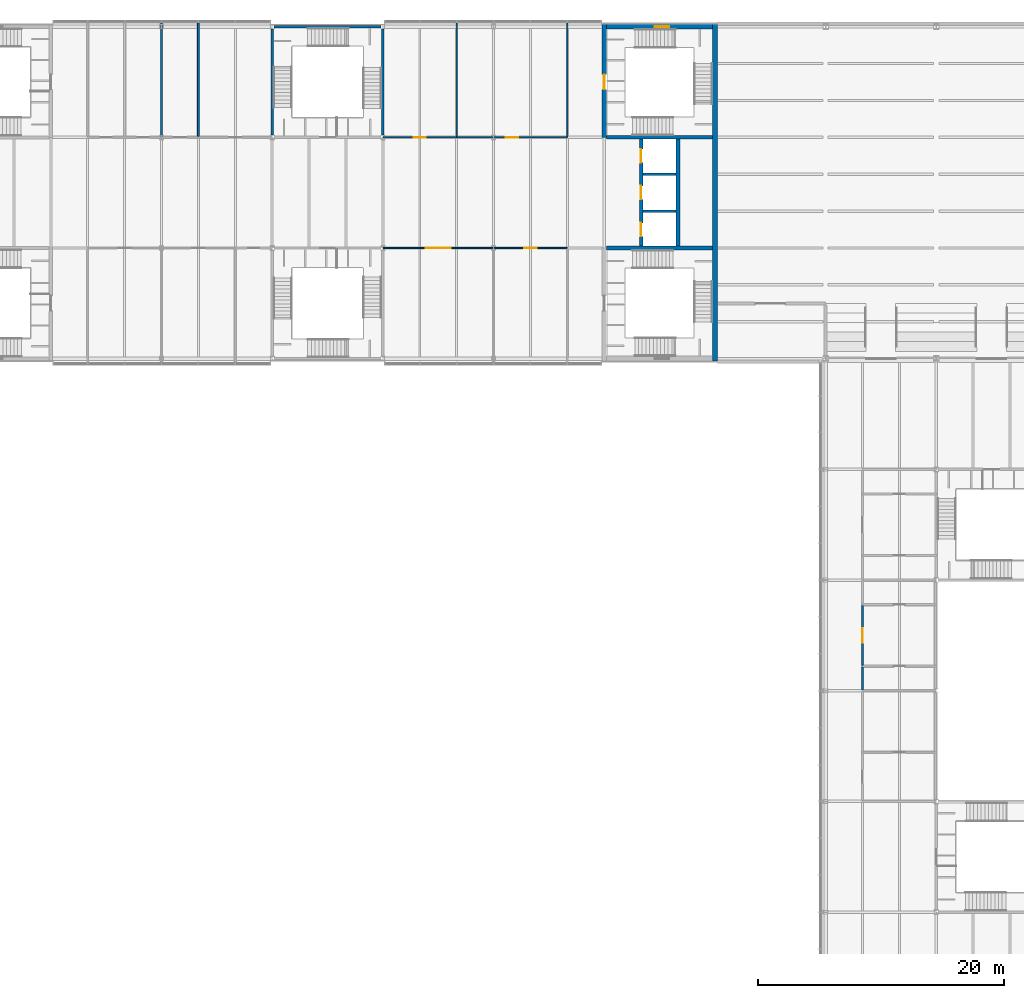
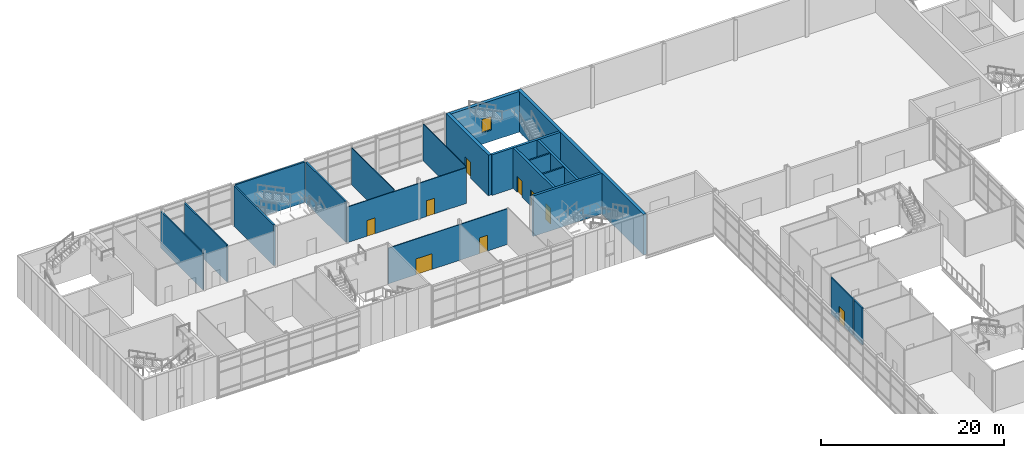
# One storey, part 36 of 52: 20 walls, 9 doors, 1 window, 10 openings.
"""IFC4 building model written with IfcOpenShell, lengths in metres."""

from ifc_helpers import new_model, si_unit, direction, frame, frame_2d, origin, place, context, subcontext, project, spatial, rectangle, extrude, material, layer, layer_set, type_object, element, fill, save


model = new_model("IFC4")

# Units and contexts
model_context = context("Model", 3, precision=1e-05, world=origin(), true_north=direction((0.0, 1.0)))
body_context = subcontext(model_context, "Body", "Model", "MODEL_VIEW")
ifc_project = project(units=[si_unit("LENGTHUNIT", "METRE"), si_unit("AREAUNIT", "SQUARE_METRE"), si_unit("VOLUMEUNIT", "CUBIC_METRE"), si_unit("PLANEANGLEUNIT", "RADIAN"), si_unit("MASSUNIT", "GRAM", prefix="KILO")], contexts=[model_context])

# Site, building, storey
site_placement = place(None, origin())
site = spatial("IfcSite", under=ifc_project, at=site_placement, CompositionType="ELEMENT")
building_placement = place(site_placement, origin())
building = spatial("IfcBuilding", under=site, at=building_placement, Name="Azimuth Sports and Learning Centre", CompositionType="ELEMENT")
storey_placement = place(building_placement, frame((0.0, 0.0, 16.199951171875)))
storey = spatial("IfcBuildingStorey", under=building, at=storey_placement, Name="L03", CompositionType="ELEMENT", Elevation=16.199951171875)

# Walls
ifc_material_1 = material(Name="Dense masonry blockwork", Category="masonry")
ifc_layer_1 = layer(ifc_material_1, 0.199951171875)
ifc_layer_set_1 = layer_set([ifc_layer_1], Name="Dense masonry blockwork")
wall_type_1 = type_object("IfcWallType", Name="Blockwork wall 200 EI 120", PredefinedType="SOLIDWALL", material=ifc_layer_set_1)
for number, where, z_axis, x_axis, name in (
    (1, (57.14990234375, 102.0, 0.0), (0.0, 0.0, 1.0), (1.0, 0.0, 0.0), "SD-W-1-L03"),
    (2, (57.14990234375, 105.0, 0.0), (0.0, 0.0, 1.0), (1.0, 0.0, 0.0), "SD-W-2-L03"),
):
    element("IfcWall", number, at=place(storey_placement, frame(where, z_axis=z_axis, x_axis=x_axis)), inside=storey, type_object=wall_type_1, Name=name, PredefinedType="SOLIDWALL", context=body_context, shape_type="SweptSolid", body=[
        extrude(rectangle(XDim=2.7001953125, YDim=0.199951171875, at=frame_2d((1.35009765625, 0.0))), origin(), (0.0, 0.0, 1.0), 5.400146484375),
    ])

# Wall, openings, doors
ifc_material_2 = material(Name="Gypsum board on steel studs", Category="steel")
ifc_layer_2 = layer(ifc_material_2, 0.10009765625)
ifc_layer_set_2 = layer_set([ifc_layer_2], Name="Gypsum board on steel studs")
wall_type_2 = type_object("IfcWallType", Name="Partition 100 EI 30", PredefinedType="PARTITIONING", material=ifc_layer_set_2)
wall_1_placement = place(storey_placement, frame((36.0, 99.0, 0.0), z_axis=(0.0, 0.0, 1.0), x_axis=(1.0, 0.0, 0.0)))
wall_1 = element("IfcWall", 3, at=wall_1_placement, inside=storey, type_object=wall_type_2, Name="Partition 100 EI 30", PredefinedType="PARTITIONING", context=body_context, shape_type="SweptSolid", body=[
    extrude(rectangle(XDim=15.0, YDim=0.10009765625, at=frame_2d((7.5, 0.0))), origin(), (0.0, 0.0, 1.0), 4.75),
])
opening_1_placement = place(wall_1_placement, frame((3.5, 0.0, 0.0)))
opening_1 = element("IfcOpeningElement", 4, at=opening_1_placement, cuts=wall_1, Name="Opening D03-034", PredefinedType="OPENING", context=body_context, shape_type="SweptSolid", body=[
    extrude(rectangle(XDim=2.0, YDim=2.10009765625, at=frame_2d((1.0, 1.050048828125))), frame((0.0, 0.06103515625, 0.0), z_axis=(0.0, -1.0, 0.0), x_axis=(1.0, 0.0, 0.0)), (0.0, 0.0, 1.0), 0.1220703125),
])
opening_2_placement = place(wall_1_placement, frame((11.5, 0.0, 0.0)))
opening_2 = element("IfcOpeningElement", 5, at=opening_2_placement, cuts=wall_1, Name="Opening D03-035", PredefinedType="OPENING", context=body_context, shape_type="SweptSolid", body=[
    extrude(rectangle(XDim=1.0, YDim=2.10009765625, at=frame_2d((0.5, 1.050048828125))), frame((0.0, 0.06103515625, 0.0), z_axis=(0.0, -1.0, 0.0), x_axis=(1.0, 0.0, 0.0)), (0.0, 0.0, 1.0), 0.1220703125),
])
ifc_material_3 = material(Name="Timber fire door set", Category="wood")
door_type_1 = type_object("IfcDoorType", Name="Timber door double 2000x2100 FD30S", OperationType="DOUBLE_DOOR_SINGLE_SWING", PredefinedType="DOOR", material=ifc_material_3)
door_1_placement = place(opening_1_placement, frame((2.0, 0.0, 0.0), z_axis=(0.0, 0.0, 1.0), x_axis=(-1.0, 0.0, 0.0)))
door_1 = element("IfcDoor", 6, at=door_1_placement, inside=storey, type_object=door_type_1, Name="Door D03-034", OperationType="DOUBLE_DOOR_SINGLE_SWING", OverallHeight=2.10009765625, OverallWidth=2.0, PredefinedType="DOOR", context=body_context, shape_type="SweptSolid", body=[
    extrude(rectangle(XDim=2.0, YDim=2.10009765625, at=frame_2d((1.0, 1.050048828125))), frame((0.0, 0.02490234375, 0.0), z_axis=(0.0, -1.0, 0.0), x_axis=(1.0, 0.0, 0.0)), (0.0, 0.0, 1.0), 0.050048828125),
])
fill(opening_1, door_1)
ifc_material_4 = material(Name="Timber fire door set", Category="wood")
door_type_2 = type_object("IfcDoorType", Name="Timber door single 1000x2100 FD30S", OperationType="NOTDEFINED", PredefinedType="DOOR", material=ifc_material_4)
door_2_placement = place(opening_2_placement, frame((1.0, 0.0, 0.0), z_axis=(0.0, 0.0, 1.0), x_axis=(-1.0, 0.0, 0.0)))
door_2 = element("IfcDoor", 7, at=door_2_placement, inside=storey, type_object=door_type_2, Name="Door D03-035", OperationType="SINGLE_SWING_RIGHT", OverallHeight=2.10009765625, OverallWidth=1.0, PredefinedType="DOOR", context=body_context, shape_type="SweptSolid", body=[
    extrude(rectangle(XDim=1.0, YDim=2.10009765625, at=frame_2d((0.5, 1.050048828125))), frame((0.0, 0.02490234375, 0.0), z_axis=(0.0, -1.0, 0.0), x_axis=(1.0, 0.0, 0.0)), (0.0, 0.0, 1.0), 0.050048828125),
])
fill(opening_2, door_2)

wall_2_placement = place(storey_placement, frame((36.0, 108.0, 0.0), z_axis=(0.0, 0.0, 1.0), x_axis=(1.0, 0.0, 0.0)))
wall_2 = element("IfcWall", 8, at=wall_2_placement, inside=storey, type_object=wall_type_2, Name="Partition 100 EI 30", PredefinedType="PARTITIONING", context=body_context, shape_type="SweptSolid", body=[
    extrude(rectangle(XDim=15.0, YDim=0.10009765625, at=frame_2d((7.5, 0.0))), origin(), (0.0, 0.0, 1.0), 4.75),
])
opening_3_placement = place(wall_2_placement, frame((2.5, 0.0, 0.0)))
opening_3 = element("IfcOpeningElement", 9, at=opening_3_placement, cuts=wall_2, Name="Opening D03-040", PredefinedType="OPENING", context=body_context, shape_type="SweptSolid", body=[
    extrude(rectangle(XDim=1.0, YDim=2.10009765625, at=frame_2d((0.5, 1.050048828125))), frame((0.0, 0.06103515625, 0.0), z_axis=(0.0, -1.0, 0.0), x_axis=(1.0, 0.0, 0.0)), (0.0, 0.0, 1.0), 0.1220703125),
])
opening_4_placement = place(wall_2_placement, frame((10.0, 0.0, 0.0)))
opening_4 = element("IfcOpeningElement", 10, at=opening_4_placement, cuts=wall_2, Name="Opening D03-041", PredefinedType="OPENING", context=body_context, shape_type="SweptSolid", body=[
    extrude(rectangle(XDim=1.0, YDim=2.10009765625, at=frame_2d((0.5, 1.050048828125))), frame((0.0, 0.06103515625, 0.0), z_axis=(0.0, -1.0, 0.0), x_axis=(1.0, 0.0, 0.0)), (0.0, 0.0, 1.0), 0.1220703125),
])
door_3_placement = place(opening_3_placement, origin())
door_3 = element("IfcDoor", 11, at=door_3_placement, inside=storey, type_object=door_type_2, Name="Door D03-040", OperationType="SINGLE_SWING_LEFT", OverallHeight=2.10009765625, OverallWidth=1.0, PredefinedType="DOOR", context=body_context, shape_type="SweptSolid", body=[
    extrude(rectangle(XDim=1.0, YDim=2.10009765625, at=frame_2d((0.5, 1.050048828125))), frame((0.0, 0.02490234375, 0.0), z_axis=(0.0, -1.0, 0.0), x_axis=(1.0, 0.0, 0.0)), (0.0, 0.0, 1.0), 0.050048828125),
])
fill(opening_3, door_3)
door_4_placement = place(opening_4_placement, origin())
door_4 = element("IfcDoor", 12, at=door_4_placement, inside=storey, type_object=door_type_2, Name="Door D03-041", OperationType="SINGLE_SWING_LEFT", OverallHeight=2.10009765625, OverallWidth=1.0, PredefinedType="DOOR", context=body_context, shape_type="SweptSolid", body=[
    extrude(rectangle(XDim=1.0, YDim=2.10009765625, at=frame_2d((0.5, 1.050048828125))), frame((0.0, 0.02490234375, 0.0), z_axis=(0.0, -1.0, 0.0), x_axis=(1.0, 0.0, 0.0)), (0.0, 0.0, 1.0), 0.050048828125),
])
fill(opening_4, door_4)

# Walls
for number, where, z_axis, x_axis, name in (
    (13, (42.0, 108.050048828125, 0.0), (0.0, 0.0, 1.0), (0.0, 1.0, 0.0), "Partition 100 EI 30"),
    (14, (51.0, 108.050048828125, 0.0), (0.0, 0.0, 1.0), (0.0, 1.0, 0.0), "Partition 100 EI 30"),
):
    element("IfcWall", number, at=place(storey_placement, frame(where, z_axis=z_axis, x_axis=x_axis)), inside=storey, type_object=wall_type_2, Name=name, PredefinedType="PARTITIONING", context=body_context, shape_type="SweptSolid", body=[
        extrude(rectangle(XDim=9.25, YDim=0.10009765625, at=frame_2d((4.625, 0.0))), origin(), (0.0, 0.0, 1.0), 4.920166015625),
    ])
ifc_material_5 = material(Name="Lightweight blockwork, rendered", Category="masonry")
ifc_layer_3 = layer(ifc_material_5, 0.14990234375)
ifc_layer_set_3 = layer_set([ifc_layer_3], Name="Lightweight blockwork, rendered")
wall_type_3 = type_object("IfcWallType", Name="Partition 150 EI 60", PredefinedType="PARTITIONING", material=ifc_layer_set_3)
wall_3_placement = place(storey_placement, frame((18.0, 108.074951171875, 0.0), z_axis=(0.0, 0.0, 1.0), x_axis=(0.0, 1.0, 0.0)))
element("IfcWall", 15, at=wall_3_placement, inside=storey, type_object=wall_type_3, Name="Partition 150 EI 60", PredefinedType="PARTITIONING", context=body_context, shape_type="SweptSolid", body=[
    extrude(rectangle(XDim=9.22509765625, YDim=0.14990234375, at=frame_2d((4.612548828125, 0.0))), origin(), (0.0, 0.0, 1.0), 4.89013671875),
])
wall_4_placement = place(storey_placement, frame((21.0, 108.074951171875, 0.0), z_axis=(0.0, 0.0, 1.0), x_axis=(0.0, 1.0, 0.0)))
element("IfcWall", 16, at=wall_4_placement, inside=storey, type_object=wall_type_3, Name="Partition 150 EI 60", PredefinedType="PARTITIONING", context=body_context, shape_type="SweptSolid", body=[
    extrude(rectangle(XDim=9.22509765625, YDim=0.14990234375, at=frame_2d((4.612548828125, 0.0))), origin(), (0.0, 0.0, 1.0), 4.920166015625),
])
wall_5_placement = place(storey_placement, frame((75.0, 63.074951171875, 0.0), z_axis=(0.0, 0.0, 1.0), x_axis=(0.0, 1.0, 0.0)))
element("IfcWall", 17, at=wall_5_placement, inside=storey, type_object=wall_type_3, Name="Partition 150 EI 60", PredefinedType="PARTITIONING", context=body_context, shape_type="SweptSolid", body=[
    extrude(rectangle(XDim=1.85009765625, YDim=0.14990234375, at=frame_2d((0.925048828125, 0.0))), origin(), (0.0, 0.0, 1.0), 4.89013671875),
])

# Wall, opening, door
wall_6_placement = place(storey_placement, frame((75.0, 65.074951171875, 0.0), z_axis=(0.0, 0.0, 1.0), x_axis=(0.0, 1.0, 0.0)))
wall_6 = element("IfcWall", 18, at=wall_6_placement, inside=storey, type_object=wall_type_3, Name="Partition 150 EI 60", PredefinedType="PARTITIONING", context=body_context, shape_type="SweptSolid", body=[
    extrude(rectangle(XDim=4.85009765625, YDim=0.14990234375, at=frame_2d((2.425048828125, 0.0))), origin(), (0.0, 0.0, 1.0), 4.89013671875),
])
opening_5_placement = place(wall_6_placement, frame((1.824951171875, 0.0, 0.0)))
opening_5 = element("IfcOpeningElement", 19, at=opening_5_placement, cuts=wall_6, Name="Opening D03-060", PredefinedType="OPENING", context=body_context, shape_type="SweptSolid", body=[
    extrude(rectangle(XDim=1.199951171875, YDim=2.10009765625, at=frame_2d((0.60009765625, 1.050048828125))), frame((0.0, 0.0859375, 0.0), z_axis=(0.0, -1.0, 0.0), x_axis=(1.0, 0.0, 0.0)), (0.0, 0.0, 1.0), 0.171875),
])
ifc_material_6 = material(Name="Timber fire door set", Category="wood")
door_type_3 = type_object("IfcDoorType", Name="Timber door single 1200x2100 FD60", OperationType="NOTDEFINED", PredefinedType="DOOR", material=ifc_material_6)
door_5_placement = place(opening_5_placement, frame((1.199951171875, 0.0, 0.0), z_axis=(0.0, 0.0, 1.0), x_axis=(-1.0, 0.0, 0.0)))
door_5 = element("IfcDoor", 20, at=door_5_placement, inside=storey, type_object=door_type_3, Name="Door D03-060", OperationType="SINGLE_SWING_LEFT", OverallHeight=2.10009765625, OverallWidth=1.199951171875, PredefinedType="DOOR", context=body_context, shape_type="SweptSolid", body=[
    extrude(rectangle(XDim=1.199951171875, YDim=2.10009765625, at=frame_2d((0.60009765625, 1.050048828125))), frame((0.0, 0.02490234375, 0.0), z_axis=(0.0, -1.0, 0.0), x_axis=(1.0, 0.0, 0.0)), (0.0, 0.0, 1.0), 0.050048828125),
])
fill(opening_5, door_5)

# Walls
ifc_material_7 = material(Name="Concrete C40/50", Category="concrete")
ifc_layer_4 = layer(ifc_material_7, 0.199951171875)
ifc_layer_set_4 = layer_set([ifc_layer_4], Name="Concrete C40/50")
wall_type_4 = type_object("IfcWallType", Name="RC cell wall 200 EI 120", PredefinedType="SHEAR", material=ifc_layer_set_4)
for number, where, z_axis, x_axis, name in (
    (21, (27.0, 108.179931640625, 0.0), (0.0, 0.0, 1.0), (0.0, 1.0, 0.0), "CE-WM2-W-L03"),
    (22, (36.0, 108.179931640625, 0.0), (0.0, 0.0, 1.0), (0.0, 1.0, 0.0), "CE-WM2-E-L03"),
):
    element("IfcWall", number, at=place(storey_placement, frame(where, z_axis=z_axis, x_axis=x_axis)), inside=storey, type_object=wall_type_4, Name=name, PredefinedType="SHEAR", context=body_context, shape_type="SweptSolid", body=[
        extrude(rectangle(XDim=8.64013671875, YDim=0.199951171875, at=frame_2d((4.320068359375, 0.0))), origin(), (0.0, 0.0, 1.0), 5.400146484375),
    ])
ifc_material_8 = material(Name="Concrete C40/50", Category="concrete")
ifc_layer_5 = layer(ifc_material_8, 0.300048828125)
ifc_layer_set_5 = layer_set([ifc_layer_5], Name="Concrete C40/50")
wall_type_5 = type_object("IfcWallType", Name="RC core wall 300", PredefinedType="SHEAR", material=ifc_layer_set_5)
for number, where, z_axis, x_axis, name in (
    (23, (54.199951171875, 99.0, 0.0), (0.0, 0.0, 1.0), (1.0, 0.0, 0.0), "Core wall W D1 L03"),
    (24, (54.199951171875, 108.0, 0.0), (0.0, 0.0, 1.0), (1.0, 0.0, 0.0), "Core wall W D2 L03"),
):
    element("IfcWall", number, at=place(storey_placement, frame(where, z_axis=z_axis, x_axis=x_axis)), inside=storey, type_object=wall_type_5, Name=name, PredefinedType="SHEAR", context=body_context, shape_type="SweptSolid", body=[
        extrude(rectangle(XDim=8.60009765625, YDim=0.300048828125, at=frame_2d((4.300048828125, 0.0))), origin(), (0.0, 0.0, 1.0), 5.400146484375),
    ])

# Wall, openings, doors
wall_7_placement = place(storey_placement, frame((57.0, 99.14990234375, 0.0), z_axis=(0.0, 0.0, 1.0), x_axis=(0.0, 1.0, 0.0)))
wall_7 = element("IfcWall", 25, at=wall_7_placement, inside=storey, type_object=wall_type_5, Name="Core wall W LB1 L03", PredefinedType="SHEAR", context=body_context, shape_type="SweptSolid", body=[
    extrude(rectangle(XDim=8.7001953125, YDim=0.300048828125, at=frame_2d((4.35009765625, 0.0))), origin(), (0.0, 0.0, 1.0), 5.400146484375),
])
opening_6_placement = place(wall_7_placement, frame((0.800048828125, 0.0, 0.0)))
opening_6 = element("IfcOpeningElement", 26, at=opening_6_placement, cuts=wall_7, Name="Opening D03-019", PredefinedType="OPENING", context=body_context, shape_type="SweptSolid", body=[
    extrude(rectangle(XDim=1.10009765625, YDim=2.10009765625, at=frame_2d((0.550048828125, 1.050048828125))), frame((0.0, 0.1611328125, 0.0), z_axis=(0.0, -1.0, 0.0), x_axis=(1.0, 0.0, 0.0)), (0.0, 0.0, 1.0), 0.322021484375),
])
opening_7_placement = place(wall_7_placement, frame((3.800048828125, 0.0, 0.0)))
opening_7 = element("IfcOpeningElement", 27, at=opening_7_placement, cuts=wall_7, Name="Opening D03-020", PredefinedType="OPENING", context=body_context, shape_type="SweptSolid", body=[
    extrude(rectangle(XDim=1.10009765625, YDim=2.10009765625, at=frame_2d((0.550048828125, 1.050048828125))), frame((0.0, 0.1611328125, 0.0), z_axis=(0.0, -1.0, 0.0), x_axis=(1.0, 0.0, 0.0)), (0.0, 0.0, 1.0), 0.322021484375),
])
opening_8_placement = place(wall_7_placement, frame((6.800048828125, 0.0, 0.0)))
opening_8 = element("IfcOpeningElement", 28, at=opening_8_placement, cuts=wall_7, Name="Opening D03-021", PredefinedType="OPENING", context=body_context, shape_type="SweptSolid", body=[
    extrude(rectangle(XDim=1.10009765625, YDim=2.10009765625, at=frame_2d((0.550048828125, 1.050048828125))), frame((0.0, 0.1611328125, 0.0), z_axis=(0.0, -1.0, 0.0), x_axis=(1.0, 0.0, 0.0)), (0.0, 0.0, 1.0), 0.322021484375),
])
ifc_material_9 = material(Name="Stainless steel", Category="steel")
door_type_4 = type_object("IfcDoorType", Name="Lift landing door 1100 x 2100", OperationType="DOUBLE_DOOR_SLIDING", PredefinedType="DOOR", material=ifc_material_9)
door_6_placement = place(opening_6_placement, origin())
door_6 = element("IfcDoor", 29, at=door_6_placement, inside=storey, type_object=door_type_4, Name="Landing door LW1 L03", OperationType="DOUBLE_DOOR_SLIDING", OverallHeight=2.10009765625, OverallWidth=1.10009765625, PredefinedType="DOOR", context=body_context, shape_type="SweptSolid", body=[
    extrude(rectangle(XDim=1.10009765625, YDim=2.10009765625, at=frame_2d((0.550048828125, 1.050048828125))), frame((0.0, 0.02490234375, 0.0), z_axis=(0.0, -1.0, 0.0), x_axis=(1.0, 0.0, 0.0)), (0.0, 0.0, 1.0), 0.050048828125),
])
fill(opening_6, door_6)
door_7_placement = place(opening_7_placement, origin())
door_7 = element("IfcDoor", 30, at=door_7_placement, inside=storey, type_object=door_type_4, Name="Landing door LW2 L03", OperationType="DOUBLE_DOOR_SLIDING", OverallHeight=2.10009765625, OverallWidth=1.10009765625, PredefinedType="DOOR", context=body_context, shape_type="SweptSolid", body=[
    extrude(rectangle(XDim=1.10009765625, YDim=2.10009765625, at=frame_2d((0.550048828125, 1.050048828125))), frame((0.0, 0.02490234375, 0.0), z_axis=(0.0, -1.0, 0.0), x_axis=(1.0, 0.0, 0.0)), (0.0, 0.0, 1.0), 0.050048828125),
])
fill(opening_7, door_7)
door_8_placement = place(opening_8_placement, origin())
door_8 = element("IfcDoor", 31, at=door_8_placement, inside=storey, type_object=door_type_4, Name="Landing door LW3 L03", OperationType="DOUBLE_DOOR_SLIDING", OverallHeight=2.10009765625, OverallWidth=1.10009765625, PredefinedType="DOOR", context=body_context, shape_type="SweptSolid", body=[
    extrude(rectangle(XDim=1.10009765625, YDim=2.10009765625, at=frame_2d((0.550048828125, 1.050048828125))), frame((0.0, 0.02490234375, 0.0), z_axis=(0.0, -1.0, 0.0), x_axis=(1.0, 0.0, 0.0)), (0.0, 0.0, 1.0), 0.050048828125),
])
fill(opening_8, door_8)

# Walls
wall_8_placement = place(storey_placement, frame((60.0, 99.14990234375, 0.0), z_axis=(0.0, 0.0, 1.0), x_axis=(0.0, 1.0, 0.0)))
element("IfcWall", 32, at=wall_8_placement, inside=storey, type_object=wall_type_5, Name="Core wall W LB2 L03", PredefinedType="SHEAR", context=body_context, shape_type="SweptSolid", body=[
    extrude(rectangle(XDim=8.7001953125, YDim=0.300048828125, at=frame_2d((4.35009765625, 0.0))), origin(), (0.0, 0.0, 1.0), 5.400146484375),
])
ifc_material_10 = material(Name="Concrete C40/50", Category="concrete")
ifc_layer_6 = layer(ifc_material_10, 0.39990234375)
ifc_layer_set_6 = layer_set([ifc_layer_6], Name="Concrete C40/50")
wall_type_6 = type_object("IfcWallType", Name="RC core wall 400", PredefinedType="SHEAR", material=ifc_layer_set_6)
wall_9_placement = place(storey_placement, frame((63.0, 89.800048828125, 0.0), z_axis=(0.0, 0.0, 1.0), x_axis=(0.0, 1.0, 0.0)))
element("IfcWall", 33, at=wall_9_placement, inside=storey, type_object=wall_type_6, Name="Core wall W E L03", PredefinedType="SHEAR", context=body_context, shape_type="SweptSolid", body=[
    extrude(rectangle(XDim=27.39990234375, YDim=0.39990234375, at=frame_2d((13.699951171875, 0.0))), origin(), (0.0, 0.0, 1.0), 5.400146484375),
])

# Wall, opening, door
wall_10_placement = place(storey_placement, frame((54.0, 108.0, 0.0), z_axis=(0.0, 0.0, 1.0), x_axis=(0.0, 1.0, 0.0)))
wall_10 = element("IfcWall", 34, at=wall_10_placement, inside=storey, type_object=wall_type_6, Name="Core wall W WN L03", PredefinedType="SHEAR", context=body_context, shape_type="SweptSolid", body=[
    extrude(rectangle(XDim=9.199951171875, YDim=0.39990234375, at=frame_2d((4.60009765625, 0.0))), origin(), (0.0, 0.0, 1.0), 5.400146484375),
])
opening_9_placement = place(wall_10_placement, frame((3.89990234375, 0.0, 0.0)))
opening_9 = element("IfcOpeningElement", 35, at=opening_9_placement, cuts=wall_10, Name="Opening D03-002", PredefinedType="OPENING", context=body_context, shape_type="SweptSolid", body=[
    extrude(rectangle(XDim=1.199951171875, YDim=2.10009765625, at=frame_2d((0.60009765625, 1.050048828125))), frame((0.0, 0.2109375, 0.0), z_axis=(0.0, -1.0, 0.0), x_axis=(1.0, 0.0, 0.0)), (0.0, 0.0, 1.0), 0.421875),
])
ifc_material_11 = material(Name="Steel", Category="steel")
door_type_5 = type_object("IfcDoorType", Name="Stair fire door 1200 x 2100", OperationType="NOTDEFINED", PredefinedType="DOOR", material=ifc_material_11)
door_9_placement = place(opening_9_placement, origin())
door_9 = element("IfcDoor", 36, at=door_9_placement, inside=storey, type_object=door_type_5, Name="Stair door W2 L03", OperationType="SINGLE_SWING_LEFT", OverallHeight=2.10009765625, OverallWidth=1.199951171875, PredefinedType="DOOR", context=body_context, shape_type="SweptSolid", body=[
    extrude(rectangle(XDim=1.199951171875, YDim=2.10009765625, at=frame_2d((0.60009765625, 1.050048828125))), frame((0.0, 0.02490234375, 0.0), z_axis=(0.0, -1.0, 0.0), x_axis=(1.0, 0.0, 0.0)), (0.0, 0.0, 1.0), 0.050048828125),
])
fill(opening_9, door_9)

# Wall
ifc_material_12 = material(Name="Concrete C40/50", Category="concrete")
ifc_layer_7 = layer(ifc_material_12, 0.199951171875)
ifc_layer_set_7 = layer_set([ifc_layer_7], Name="Concrete C40/50")
wall_type_7 = type_object("IfcWallType", Name="RC external cell wall 200 EI 120", PredefinedType="SHEAR", material=ifc_layer_set_7)
wall_11_placement = place(storey_placement, frame((27.14990234375, 117.0, 0.0), z_axis=(0.0, 0.0, 1.0), x_axis=(1.0, 0.0, 0.0)))
element("IfcWall", 37, at=wall_11_placement, inside=storey, type_object=wall_type_7, Name="CE-WM2-N-L03", PredefinedType="SHEAR", context=body_context, shape_type="SweptSolid", body=[
    extrude(rectangle(XDim=8.7001953125, YDim=0.199951171875, at=frame_2d((4.35009765625, 0.0))), origin(), (0.0, 0.0, 1.0), 5.400146484375),
])

# Wall, opening, window
ifc_material_13 = material(Name="Concrete C40/50", Category="concrete")
ifc_layer_8 = layer(ifc_material_13, 0.39990234375)
ifc_layer_set_8 = layer_set([ifc_layer_8], Name="Concrete C40/50")
wall_type_8 = type_object("IfcWallType", Name="RC external core wall 400", PredefinedType="SHEAR", material=ifc_layer_set_8)
wall_12_placement = place(storey_placement, frame((54.199951171875, 117.0, 0.0), z_axis=(0.0, 0.0, 1.0), x_axis=(1.0, 0.0, 0.0)))
wall_12 = element("IfcWall", 38, at=wall_12_placement, inside=storey, type_object=wall_type_8, Name="Core wall W N L03", PredefinedType="SHEAR", context=body_context, shape_type="SweptSolid", body=[
    extrude(rectangle(XDim=8.60009765625, YDim=0.39990234375, at=frame_2d((4.300048828125, 0.0))), origin(), (0.0, 0.0, 1.0), 5.400146484375),
])
opening_10_placement = place(wall_12_placement, frame((3.89990234375, 0.0, 1.5)))
opening_10 = element("IfcOpeningElement", 39, at=opening_10_placement, cuts=wall_12, Name="Opening W03-007", PredefinedType="OPENING", context=body_context, shape_type="SweptSolid", body=[
    extrude(rectangle(XDim=1.199951171875, YDim=1.800048828125, at=frame_2d((0.60009765625, 0.89990234375))), frame((0.0, 0.2109375, 0.0), z_axis=(0.0, -1.0, 0.0), x_axis=(1.0, 0.0, 0.0)), (0.0, 0.0, 1.0), 0.421875),
])
ifc_material_14 = material(Name="Aluminium and glass", Category="aluminium")
window_type = type_object("IfcWindowType", Name="Stair window podium core 1200x1800", PartitioningType="SINGLE_PANEL", PredefinedType="WINDOW", material=ifc_material_14)
window_placement = place(opening_10_placement, origin())
window = element("IfcWindow", 40, at=window_placement, inside=storey, type_object=window_type, Name="Window W03-007", OverallHeight=1.800048828125, OverallWidth=1.199951171875, PartitioningType="SINGLE_PANEL", PredefinedType="WINDOW", context=body_context, shape_type="SweptSolid", body=[
    extrude(rectangle(XDim=1.199951171875, YDim=1.800048828125, at=frame_2d((0.60009765625, 0.89990234375))), frame((0.0, 0.030029296875, 0.0), z_axis=(0.0, -1.0, 0.0), x_axis=(1.0, 0.0, 0.0)), (0.0, 0.0, 1.0), 0.06005859375),
])
fill(opening_10, window)

save(model, "model.ifc")
